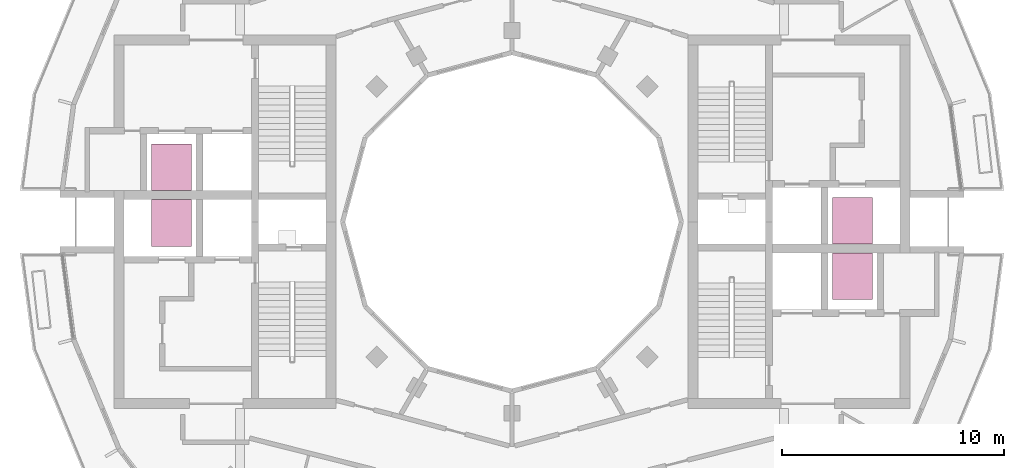
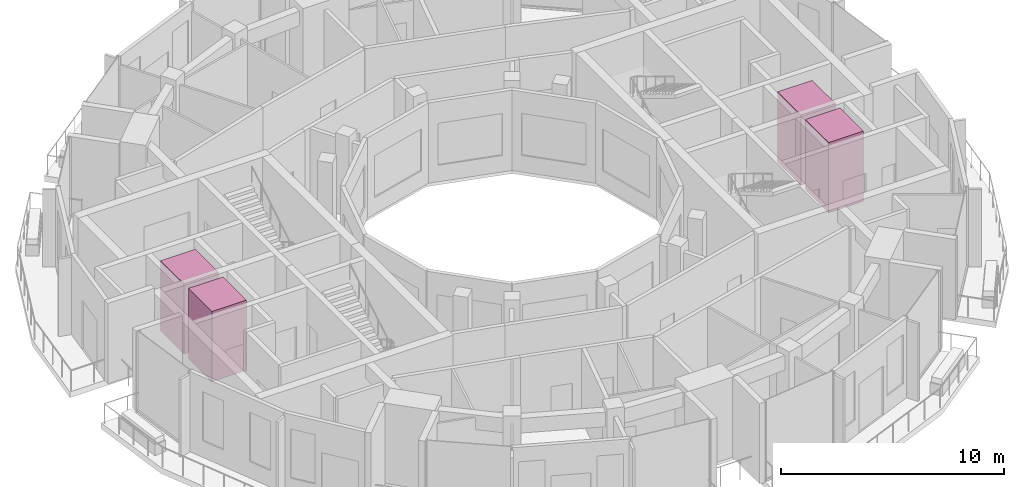
# One storey, part 15 of 15: 4 transport elements.
"""IFC4 building model written with IfcOpenShell, lengths in metres."""

from ifc_helpers import new_model, si_unit, direction, frame, origin, origin_2d, place, context, subcontext, project, spatial, rectangle, extrude, material, type_object, element, save


model = new_model("IFC4")

# Units and contexts
model_context = context("Model", 3, precision=1e-05, world=origin(), true_north=direction((0.0, 1.0)))
body_context = subcontext(model_context, "Body", "Model", "MODEL_VIEW")
ifc_project = project(units=[si_unit("LENGTHUNIT", "METRE"), si_unit("AREAUNIT", "SQUARE_METRE"), si_unit("VOLUMEUNIT", "CUBIC_METRE"), si_unit("PLANEANGLEUNIT", "RADIAN"), si_unit("MASSUNIT", "GRAM", prefix="KILO")], contexts=[model_context])

# Site, building, storey
site_placement = place(None, origin())
site = spatial("IfcSite", under=ifc_project, at=site_placement, CompositionType="ELEMENT")
building_placement = place(site_placement, origin())
building = spatial("IfcBuilding", under=site, at=building_placement, Name="Torre Brocal", CompositionType="ELEMENT")
storey_placement = place(building_placement, frame((0.0, 0.0, 314.89990234375)))
storey = spatial("IfcBuildingStorey", under=building, at=storey_placement, Name="L72", CompositionType="ELEMENT", Elevation=314.89990234375)

# Transport elements
ifc_material = material(Name="Stainless steel AISI 316", Category="steel")
transport_element_type = type_object("IfcTransportElementType", Name="PASSENGER LIFT", PredefinedType="ELEVATOR", material=ifc_material)
for number, where, z_axis, x_axis, name in (
    (1, (95.300048828125, 75.050048828125, 0.0), (0.0, 0.0, 1.0), (1.0, 0.0, 0.0), "HIGH RISE LIFT E-HR1"),
    (2, (95.300048828125, 72.550048828125, 0.0), (0.0, 0.0, 1.0), (1.0, 0.0, 0.0), "HIGH RISE LIFT E-HR2"),
    (3, (64.699951171875, 74.949951171875, 0.0), (0.0, 0.0, 1.0), (1.0, 0.0, 0.0), "HIGH RISE LIFT W-HR1"),
    (4, (64.699951171875, 77.449951171875, 0.0), (0.0, 0.0, 1.0), (1.0, 0.0, 0.0), "HIGH RISE LIFT W-HR2"),
):
    element("IfcTransportElement", number, at=place(storey_placement, frame(where, z_axis=z_axis, x_axis=x_axis)), inside=storey, type_object=transport_element_type, Name=name, PredefinedType="ELEVATOR", context=body_context, shape_type="SweptSolid", body=[
        extrude(rectangle(XDim=1.800048828125, YDim=2.10009765625, at=origin_2d()), origin(), (0.0, 0.0, 1.0), 3.85009765625),
    ])

save(model, "model.ifc")
